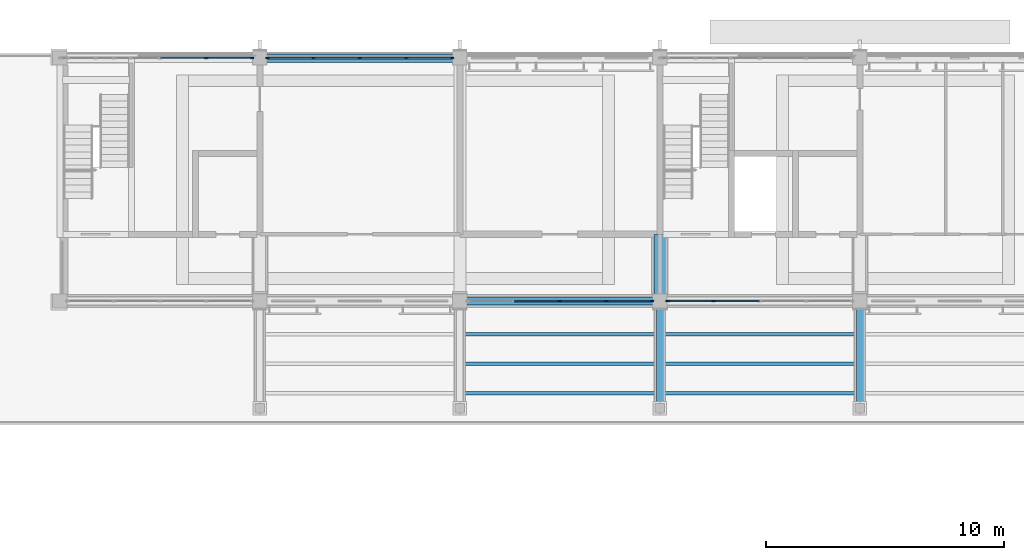
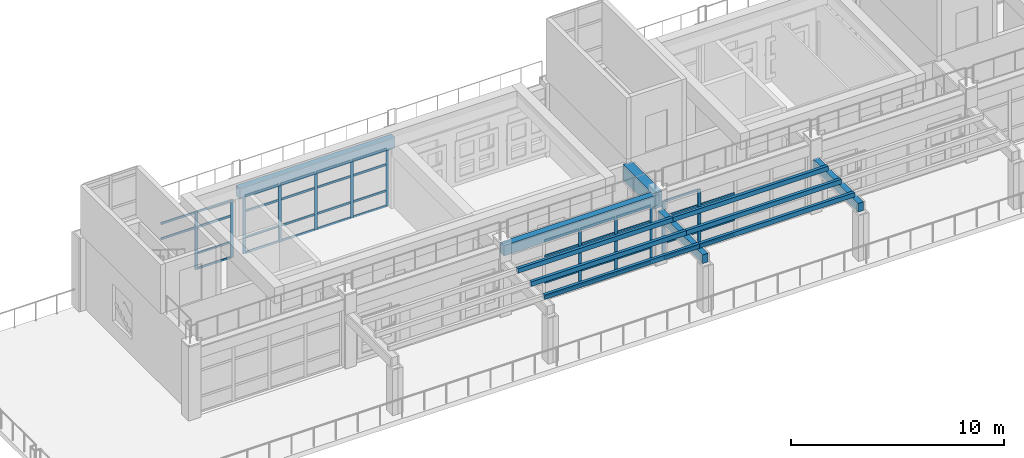
# One storey, part 37 of 105: 59 members, 5 beams, 4 elements without a shape of their own.
"""IFC4 building model written with IfcOpenShell, lengths in metres."""

import ifcopenshell
import ifcopenshell.guid

model = None  # the IFC model being written
_history = None  # IfcOwnerHistory: only IFC2X3 demands one
_inside = {}  # id of a spatial element -> (the spatial element, [elements in it])
_under = {}  # id of a project, library or spatial element -> (it, [spatial elements below it])
_declared = {}  # id of a project -> (the project, [libraries it declares])
_typed = {}  # id of a type object -> (the type object, [elements of that type])
_made_of = {}  # id of a material, layer set ... -> (it, [elements and type objects made of it])


def new_model(schema):
    """Start an empty IFC model of exactly this schema.

    Asked for "IFC4X3", IfcOpenShell would pick the latest addendum, in which some entities
    have other attributes; the version numbers below select the first issue.
    IFC2X3 requires an IfcOwnerHistory on every rooted entity: one is made here for all.
    """
    global model, _history
    if schema == "IFC4X3":
        model = ifcopenshell.file(schema_version=(4, 3, 0, 0))
    else:
        model = ifcopenshell.file(schema=schema)
    _inside.clear()
    _under.clear()
    _declared.clear()
    _typed.clear()
    _made_of.clear()
    _history = None
    if model.schema == "IFC2X3":
        org = make("IfcOrganization", Name="unknown")
        user = make(
            "IfcPersonAndOrganization",
            ThePerson=make("IfcPerson", FamilyName="unknown"),
            TheOrganization=org,
        )
        app = make(
            "IfcApplication",
            ApplicationDeveloper=org,
            Version="unknown",
            ApplicationFullName="unknown",
            ApplicationIdentifier="unknown",
        )
        _history = make(
            "IfcOwnerHistory",
            OwningUser=user,
            OwningApplication=app,
            ChangeAction="ADDED",
            CreationDate=0,
        )
    return model


def make(cls, **values):
    """One entity of the class cls with the attributes given. An attribute that is None is left unset."""
    return model.create_entity(
        cls, **{name: value for name, value in values.items() if value is not None}
    )


def rooted(cls, **values):
    """An entity with a GlobalId (a new one), such as an element, a storey or a relation."""
    return make(cls, GlobalId=ifcopenshell.guid.new(), OwnerHistory=_history, **values)


def si_unit(unit_type, name, prefix=None):
    """IfcSIUnit, for example si_unit("LENGTHUNIT", "METRE", prefix="MILLI")."""
    return make("IfcSIUnit", UnitType=unit_type, Prefix=prefix, Name=name)


def assignment(units):
    """IfcUnitAssignment: the units of a project."""
    return None if units is None else make("IfcUnitAssignment", Units=units)


def point(xyz):
    """IfcCartesianPoint."""
    return None if xyz is None else make("IfcCartesianPoint", Coordinates=xyz)


def direction(xyz):
    """IfcDirection."""
    return None if xyz is None else make("IfcDirection", DirectionRatios=xyz)


def frame(location, z_axis=None, x_axis=None):
    """IfcAxis2Placement3D, a coordinate frame: its origin and axes. An axis left out is left unset."""
    return make(
        "IfcAxis2Placement3D",
        Location=point(location),
        Axis=direction(z_axis),
        RefDirection=direction(x_axis),
    )


def frame_2d(location, x_axis=None):
    """IfcAxis2Placement2D, a coordinate frame in the plane: its origin and x axis."""
    return make(
        "IfcAxis2Placement2D", Location=point(location), RefDirection=direction(x_axis)
    )


def origin():
    """The frame at (0, 0, 0) with its axes left unset."""
    return frame((0.0, 0.0, 0.0))


def origin_2d():
    """The frame at (0, 0) in the plane with its x axis left unset."""
    return frame_2d((0.0, 0.0))


def place(relative_to, where):
    """IfcLocalPlacement: puts the frame where relative to a parent placement (None: the world)."""
    return make(
        "IfcLocalPlacement", PlacementRelTo=relative_to, RelativePlacement=where
    )


def context(
    kind, dimensions, precision=None, world=None, true_north=None, identifier=None
):
    """IfcGeometricRepresentationContext, for example the 3D "Model" context."""
    return make(
        "IfcGeometricRepresentationContext",
        ContextIdentifier=identifier,
        ContextType=kind,
        CoordinateSpaceDimension=dimensions,
        Precision=precision,
        WorldCoordinateSystem=world,
        TrueNorth=true_north,
    )


def subcontext(parent, identifier, kind, view, scale=None):
    """IfcGeometricRepresentationSubContext, for example "Body" below "Model"."""
    return make(
        "IfcGeometricRepresentationSubContext",
        ContextIdentifier=identifier,
        ContextType=kind,
        ParentContext=parent,
        TargetScale=scale,
        TargetView=view,
    )


def project(units=None, contexts=None):
    """IfcProject with its units and contexts."""
    return rooted(
        "IfcProject",
        Name="project",
        RepresentationContexts=contexts,
        UnitsInContext=assignment(units),
    )


def spatial(cls, under=None, at=None, **own):
    """A site, building, storey or space (cls), placed at a placement, below another one or the project."""
    s = rooted(cls, ObjectPlacement=at, **own)
    if under is not None:
        _under.setdefault(under.id(), (under, []))[1].append(s)
    return s


def profile(cls, at=None, kind="AREA", **sizes):
    """A parametric profile (cls). Its sizes go by their IFC names, for example OverallWidth=200.0."""
    return make(cls, ProfileType=kind, Position=at, **sizes)


def rectangle(**sizes):
    """IfcRectangleProfileDef."""
    return profile("IfcRectangleProfileDef", **sizes)


def extrude(swept, where, along, depth):
    """IfcExtrudedAreaSolid: the profile swept, set in the frame where, extruded along a direction by depth."""
    return make(
        "IfcExtrudedAreaSolid",
        SweptArea=swept,
        Position=where,
        ExtrudedDirection=direction(along),
        Depth=depth,
    )


def shape(context_of_items, identifier, shape_type, items):
    """IfcShapeRepresentation: the items that make up one representation, for example the "Body"."""
    return make(
        "IfcShapeRepresentation",
        ContextOfItems=context_of_items,
        RepresentationIdentifier=identifier,
        RepresentationType=shape_type,
        Items=items,
    )


def material(Name=None, Category=None):
    """IfcMaterial."""
    return make("IfcMaterial", Name=Name, Category=Category)


def layer(
    of_material, thickness, ventilated=None, Name=None, Category=None, Priority=None
):
    """IfcMaterialLayer: one layer of a wall or slab, of a material (None: an air gap)."""
    return make(
        "IfcMaterialLayer",
        Material=of_material,
        LayerThickness=thickness,
        IsVentilated=ventilated,
        Name=Name,
        Category=Category,
        Priority=Priority,
    )


def layer_set(layers, Name=None):
    """IfcMaterialLayerSet."""
    return make("IfcMaterialLayerSet", MaterialLayers=layers, LayerSetName=Name)


def material_profile(
    of_material, cross_section, Name=None, Category=None, Priority=None
):
    """IfcMaterialProfile: a cross section and its material."""
    return make(
        "IfcMaterialProfile",
        Name=Name,
        Material=of_material,
        Profile=cross_section,
        Priority=Priority,
        Category=Category,
    )


def profile_set(profiles, Name=None, composite=None):
    """IfcMaterialProfileSet."""
    return make(
        "IfcMaterialProfileSet",
        Name=Name,
        MaterialProfiles=profiles,
        CompositeProfile=composite,
    )


def made_of(thing, what):
    """Note that an element or type object is made of a material, layer set ...; save() writes the relation."""
    if what is not None:
        _made_of.setdefault(what.id(), (what, []))[1].append(thing)
    return thing


def type_object(cls, material=None, **own):
    """A type object (cls), such as IfcWallType, which elements share."""
    return made_of(rooted(cls, **own), material)


def element(
    cls,
    number,
    at=None,
    inside=None,
    cuts=None,
    type_object=None,
    material=None,
    context=None,
    identifier="Body",
    shape_type=None,
    held_by="IfcProductDefinitionShape",
    body=None,
    shapes=None,
    **own,
):
    """One element of the class cls, such as IfcWall. Its Tag is "e" and its number.

    at: its placement. inside: the storey or other place that contains it. cuts: it is an
    opening in that element (IfcRelVoidsElement). A single representation is given by context,
    identifier, shape_type and body (its items); several are given by shapes. held_by: the class
    of the entity that holds the representations. save() writes the other relations.
    """
    e = rooted(cls, Tag="e%d" % number, ObjectPlacement=at, **own)
    if body is not None:
        shapes = [shape(context, identifier, shape_type, body)]
    if shapes is not None:
        e.Representation = make(held_by, Representations=shapes)
    if inside is not None:
        _inside.setdefault(inside.id(), (inside, []))[1].append(e)
    if cuts is not None:
        rooted(
            "IfcRelVoidsElement", RelatingBuildingElement=cuts, RelatedOpeningElement=e
        )
    if type_object is not None:
        _typed.setdefault(type_object.id(), (type_object, []))[1].append(e)
    return made_of(e, material)


def aggregate(whole, parts):
    """IfcRelAggregates: a whole, such as a stair, and the parts it consists of."""
    return rooted("IfcRelAggregates", RelatingObject=whole, RelatedObjects=parts)


def save(model, path):
    """Write the relations noted so far, then the file.

    IfcRelAggregates (storeys below a building ...), IfcRelContainedInSpatialStructure (elements
    in a storey), IfcRelDefinesByType, IfcRelAssociatesMaterial and IfcRelDeclares: one each for
    every whole, place, type object, material and project.
    """
    for whole, parts in _under.values():
        aggregate(whole, parts)
    for where, things in _inside.values():
        rooted(
            "IfcRelContainedInSpatialStructure",
            RelatedElements=things,
            RelatingStructure=where,
        )
    for kind, things in _typed.values():
        rooted("IfcRelDefinesByType", RelatedObjects=things, RelatingType=kind)
    for what, things in _made_of.values():
        rooted("IfcRelAssociatesMaterial", RelatedObjects=things, RelatingMaterial=what)
    for by, libraries in _declared.values():
        rooted("IfcRelDeclares", RelatingContext=by, RelatedDefinitions=libraries)
    model.write(path)


model = new_model("IFC4")

# Units and contexts
model_context = context("Model", 3, precision=1e-05, world=origin(), true_north=direction((0.0, 1.0)))
body_context = subcontext(model_context, "Body", "Model", "MODEL_VIEW")
ifc_project = project(units=[si_unit("LENGTHUNIT", "METRE"), si_unit("AREAUNIT", "SQUARE_METRE"), si_unit("VOLUMEUNIT", "CUBIC_METRE"), si_unit("PLANEANGLEUNIT", "RADIAN"), si_unit("MASSUNIT", "GRAM", prefix="KILO")], contexts=[model_context])

# Site, building, storey
site_placement = place(None, origin())
site = spatial("IfcSite", under=ifc_project, at=site_placement, CompositionType="ELEMENT")
building_placement = place(site_placement, origin())
building = spatial("IfcBuilding", under=site, at=building_placement, Name="Wasatch Bagh Community Centre", CompositionType="ELEMENT")
storey_placement = place(building_placement, frame((0.0, 0.0, 16.800048828125)))
storey = spatial("IfcBuildingStorey", under=building, at=storey_placement, Name="L04", CompositionType="ELEMENT", Elevation=16.800048828125)

# Beams
ifc_material_1 = material(Name="Concrete C35", Category="concrete")
ifc_material_profile_1 = material_profile(ifc_material_1, rectangle(XDim=0.300048828125, YDim=0.5, at=origin_2d()), Name="RC 300x500")
ifc_profile_set_1 = profile_set([ifc_material_profile_1], Name="Concrete C35")
beam_type_1 = type_object("IfcBeamType", Name="LW RC 300x500", PredefinedType="BEAM", material=ifc_profile_set_1)
for number, where, z_axis, x_axis, name in (
    (1, (106.0, 87.300048828125, 2.849853515625), (0.0, -1.0, 0.0), (1.0, 0.0, 0.0), "Pergola beam T4"),
    (2, (114.39990234375, 87.300048828125, 2.849853515625), (0.0, -1.0, 0.0), (1.0, 0.0, 0.0), "Pergola beam T4"),
):
    element("IfcBeam", number, at=place(storey_placement, frame(where, z_axis=z_axis, x_axis=x_axis)), inside=storey, type_object=beam_type_1, Name=name, PredefinedType="BEAM", context=body_context, shape_type="SweptSolid", body=[
        extrude(rectangle(XDim=0.300048828125, YDim=0.5, at=origin_2d()), origin(), (0.0, 0.0, 1.0), 4.199951171875),
    ])
ifc_material_profile_2 = material_profile(ifc_material_1, rectangle(XDim=0.35009765625, YDim=0.60009765625, at=origin_2d()), Name="RC 350x600")
ifc_profile_set_2 = profile_set([ifc_material_profile_2], Name="Concrete C35")
beam_type_2 = type_object("IfcBeamType", Name="LW RC 350x600", PredefinedType="BEAM", material=ifc_profile_set_2)
beam_1_placement = place(storey_placement, frame((97.60009765625, 87.60009765625, 3.599853515625), z_axis=(1.0, 0.0, 0.0), x_axis=(0.0, 1.0, 0.0)))
element("IfcBeam", 3, at=beam_1_placement, inside=storey, type_object=beam_type_2, Name="W5-W6M", PredefinedType="BEAM", context=body_context, shape_type="SweptSolid", body=[
    extrude(rectangle(XDim=0.35009765625, YDim=0.60009765625, at=origin_2d()), origin(), (0.0, 0.0, 1.0), 8.39990234375),
])
beam_2_placement = place(storey_placement, frame((89.199951171875, 97.800048828125, 3.599853515625), z_axis=(1.0, 0.0, 0.0), x_axis=(0.0, 1.0, 0.0)))
element("IfcBeam", 4, at=beam_2_placement, inside=storey, type_object=beam_type_2, Name="W4-W5N", PredefinedType="BEAM", context=body_context, shape_type="SweptSolid", body=[
    extrude(rectangle(XDim=0.35009765625, YDim=0.60009765625, at=origin_2d()), origin(), (0.0, 0.0, 1.0), 8.400146484375),
])
ifc_material_profile_3 = material_profile(ifc_material_1, rectangle(XDim=0.5, YDim=0.89990234375, at=origin_2d()), Name="RC 500x900")
ifc_profile_set_3 = profile_set([ifc_material_profile_3], Name="Concrete C35")
beam_type_3 = type_object("IfcBeamType", Name="LW RC 500x900", PredefinedType="BEAM", material=ifc_profile_set_3)
beam_3_placement = place(storey_placement, frame((106.0, 87.60009765625, 3.449951171875), z_axis=(0.0, 1.0, 0.0), x_axis=(-1.0, 0.0, 0.0)))
element("IfcBeam", 5, at=beam_3_placement, inside=storey, type_object=beam_type_3, Name="W6M-N", PredefinedType="BEAM", context=body_context, shape_type="SweptSolid", body=[
    extrude(rectangle(XDim=0.5, YDim=0.89990234375, at=origin_2d()), origin(), (0.0, 0.0, 1.0), 2.7998046875),
])

# Curtain wall, members
ifc_material_2 = material(Name="Aluminium curtain wall frame with low-iron glass", Category="aluminium")
ifc_layer_1 = layer(ifc_material_2, 0.10009765625)
ifc_layer_set_1 = layer_set([ifc_layer_1], Name="Aluminium curtain wall frame with low-iron glass")
curtain_wall_type_1 = type_object("IfcCurtainWallType", Name="LW curtain wall 100", PredefinedType="NOTDEFINED", material=ifc_layer_set_1)
curtain_wall_1_placement = place(storey_placement, origin())
curtain_wall_1 = element("IfcCurtainWall", 6, at=curtain_wall_1_placement, inside=storey, type_object=curtain_wall_type_1, Name="Curtain wall 04.05", PredefinedType="NOTDEFINED")
ifc_material_3 = material(Name="Aluminium extrusion", Category="aluminium")
ifc_material_profile_4 = material_profile(ifc_material_3, rectangle(XDim=0.06005859375, YDim=0.159912109375, at=origin_2d()), Name="AL 60x160")
ifc_profile_set_4 = profile_set([ifc_material_profile_4], Name="Aluminium extrusion")
member_type_1 = type_object("IfcMemberType", Name="LW curtain wall mullion 60x160", PredefinedType="MULLION", material=ifc_profile_set_4)
member_1_placement = place(storey_placement, frame((86.949951171875, 97.800048828125, 0.0), z_axis=(0.0, 0.0, 1.0), x_axis=(0.0, 1.0, 0.0)))
member_1 = element("IfcMember", 7, at=member_1_placement, type_object=member_type_1, Name="LW-CW1 mullion 4", PredefinedType="MULLION", context=body_context, shape_type="SweptSolid", body=[
    extrude(rectangle(XDim=0.06005859375, YDim=0.159912109375, at=origin_2d()), origin(), (0.0, 0.0, 1.0), 3.300048828125),
])
member_2_placement = place(storey_placement, frame((88.8701171875, 97.800048828125, 0.0), z_axis=(0.0, 0.0, 1.0), x_axis=(0.0, 1.0, 0.0)))
member_2 = element("IfcMember", 8, at=member_2_placement, type_object=member_type_1, Name="LW-CW1 mullion 5", PredefinedType="MULLION", context=body_context, shape_type="SweptSolid", body=[
    extrude(rectangle(XDim=0.06005859375, YDim=0.159912109375, at=origin_2d()), origin(), (0.0, 0.0, 1.0), 3.300048828125),
])

ifc_layer_2 = layer(ifc_material_2, 0.1201171875)
ifc_layer_set_2 = layer_set([ifc_layer_2], Name="Aluminium curtain wall frame with low-iron glass")
curtain_wall_type_2 = type_object("IfcCurtainWallType", Name="LW study front curtain wall 120", PredefinedType="NOTDEFINED", material=ifc_layer_set_2)
curtain_wall_2_placement = place(storey_placement, origin())
curtain_wall_2 = element("IfcCurtainWall", 9, at=curtain_wall_2_placement, inside=storey, type_object=curtain_wall_type_2, Name="Curtain wall 04.06", PredefinedType="NOTDEFINED")
ifc_material_profile_5 = material_profile(ifc_material_3, rectangle(XDim=0.06005859375, YDim=0.159912109375, at=origin_2d()), Name="AL 60x160")
ifc_profile_set_5 = profile_set([ifc_material_profile_5], Name="Aluminium extrusion")
member_type_2 = type_object("IfcMemberType", Name="LW curtain wall mullion 60x160 LW-CW2", PredefinedType="MULLION", material=ifc_profile_set_5)
member_3_placement = place(storey_placement, frame((89.530029296875, 97.800048828125, 0.0), z_axis=(0.0, 0.0, 1.0), x_axis=(0.0, 1.0, 0.0)))
member_3 = element("IfcMember", 10, at=member_3_placement, type_object=member_type_2, Name="LW-CW2 mullion 1", PredefinedType="MULLION", context=body_context, shape_type="SweptSolid", body=[
    extrude(rectangle(XDim=0.06005859375, YDim=0.159912109375, at=origin_2d()), origin(), (0.0, 0.0, 1.0), 3.300048828125),
])
member_4_placement = place(storey_placement, frame((91.449951171875, 97.800048828125, 0.0), z_axis=(0.0, 0.0, 1.0), x_axis=(0.0, 1.0, 0.0)))
member_4 = element("IfcMember", 11, at=member_4_placement, type_object=member_type_2, Name="LW-CW2 mullion 2", PredefinedType="MULLION", context=body_context, shape_type="SweptSolid", body=[
    extrude(rectangle(XDim=0.06005859375, YDim=0.159912109375, at=origin_2d()), origin(), (0.0, 0.0, 1.0), 3.300048828125),
])
member_5_placement = place(storey_placement, frame((93.39990234375, 97.800048828125, 0.0), z_axis=(0.0, 0.0, 1.0), x_axis=(0.0, 1.0, 0.0)))
member_5 = element("IfcMember", 12, at=member_5_placement, type_object=member_type_2, Name="LW-CW2 mullion 3", PredefinedType="MULLION", context=body_context, shape_type="SweptSolid", body=[
    extrude(rectangle(XDim=0.06005859375, YDim=0.159912109375, at=origin_2d()), origin(), (0.0, 0.0, 1.0), 3.300048828125),
])
member_6_placement = place(storey_placement, frame((95.35009765625, 97.800048828125, 0.0), z_axis=(0.0, 0.0, 1.0), x_axis=(0.0, 1.0, 0.0)))
member_6 = element("IfcMember", 13, at=member_6_placement, type_object=member_type_2, Name="LW-CW2 mullion 4", PredefinedType="MULLION", context=body_context, shape_type="SweptSolid", body=[
    extrude(rectangle(XDim=0.06005859375, YDim=0.159912109375, at=origin_2d()), origin(), (0.0, 0.0, 1.0), 3.300048828125),
])
member_7_placement = place(storey_placement, frame((97.27001953125, 97.800048828125, 0.0), z_axis=(0.0, 0.0, 1.0), x_axis=(0.0, 1.0, 0.0)))
member_7 = element("IfcMember", 14, at=member_7_placement, type_object=member_type_2, Name="LW-CW2 mullion 5", PredefinedType="MULLION", context=body_context, shape_type="SweptSolid", body=[
    extrude(rectangle(XDim=0.06005859375, YDim=0.159912109375, at=origin_2d()), origin(), (0.0, 0.0, 1.0), 3.300048828125),
])

ifc_layer_3 = layer(ifc_material_2, 0.139892578125)
ifc_layer_set_3 = layer_set([ifc_layer_3], Name="Aluminium curtain wall frame with low-iron glass")
curtain_wall_type_3 = type_object("IfcCurtainWallType", Name="LW terrace front curtain wall 140", PredefinedType="NOTDEFINED", material=ifc_layer_set_3)
curtain_wall_3_placement = place(storey_placement, origin())
curtain_wall_3 = element("IfcCurtainWall", 15, at=curtain_wall_3_placement, inside=storey, type_object=curtain_wall_type_3, Name="Curtain wall 04.02", PredefinedType="NOTDEFINED")
ifc_material_profile_6 = material_profile(ifc_material_3, rectangle(XDim=0.06005859375, YDim=0.159912109375, at=origin_2d()), Name="AL 60x160")
ifc_profile_set_6 = profile_set([ifc_material_profile_6], Name="Aluminium extrusion")
member_type_3 = type_object("IfcMemberType", Name="LW curtain wall mullion 60x160 LW-CW3", PredefinedType="MULLION", material=ifc_profile_set_6)
member_8_placement = place(storey_placement, frame((101.800048828125, 87.60009765625, 0.0), z_axis=(0.0, 0.0, 1.0), x_axis=(0.0, 1.0, 0.0)))
member_8 = element("IfcMember", 16, at=member_8_placement, type_object=member_type_3, Name="LW-CW3 mullion 3", PredefinedType="MULLION", context=body_context, shape_type="SweptSolid", body=[
    extrude(rectangle(XDim=0.06005859375, YDim=0.159912109375, at=origin_2d()), origin(), (0.0, 0.0, 1.0), 3.300048828125),
])
member_9_placement = place(storey_placement, frame((103.75, 87.60009765625, 0.0), z_axis=(0.0, 0.0, 1.0), x_axis=(0.0, 1.0, 0.0)))
member_9 = element("IfcMember", 17, at=member_9_placement, type_object=member_type_3, Name="LW-CW3 mullion 4", PredefinedType="MULLION", context=body_context, shape_type="SweptSolid", body=[
    extrude(rectangle(XDim=0.06005859375, YDim=0.159912109375, at=origin_2d()), origin(), (0.0, 0.0, 1.0), 3.300048828125),
])
member_10_placement = place(storey_placement, frame((105.669921875, 87.60009765625, 0.0), z_axis=(0.0, 0.0, 1.0), x_axis=(0.0, 1.0, 0.0)))
member_10 = element("IfcMember", 18, at=member_10_placement, type_object=member_type_3, Name="LW-CW3 mullion 5", PredefinedType="MULLION", context=body_context, shape_type="SweptSolid", body=[
    extrude(rectangle(XDim=0.06005859375, YDim=0.159912109375, at=origin_2d()), origin(), (0.0, 0.0, 1.0), 3.300048828125),
])

curtain_wall_4_placement = place(storey_placement, origin())
curtain_wall_4 = element("IfcCurtainWall", 19, at=curtain_wall_4_placement, inside=storey, type_object=curtain_wall_type_3, Name="Curtain wall 04.03", PredefinedType="NOTDEFINED")
member_11_placement = place(storey_placement, frame((106.330078125, 87.60009765625, 0.0), z_axis=(0.0, 0.0, 1.0), x_axis=(0.0, 1.0, 0.0)))
member_11 = element("IfcMember", 20, at=member_11_placement, type_object=member_type_3, Name="LW-CW3 mullion 1", PredefinedType="MULLION", context=body_context, shape_type="SweptSolid", body=[
    extrude(rectangle(XDim=0.06005859375, YDim=0.159912109375, at=origin_2d()), origin(), (0.0, 0.0, 1.0), 3.300048828125),
])
member_12_placement = place(storey_placement, frame((108.25, 87.60009765625, 0.0), z_axis=(0.0, 0.0, 1.0), x_axis=(0.0, 1.0, 0.0)))
member_12 = element("IfcMember", 21, at=member_12_placement, type_object=member_type_3, Name="LW-CW3 mullion 2", PredefinedType="MULLION", context=body_context, shape_type="SweptSolid", body=[
    extrude(rectangle(XDim=0.06005859375, YDim=0.159912109375, at=origin_2d()), origin(), (0.0, 0.0, 1.0), 3.300048828125),
])

# Member
ifc_material_profile_7 = material_profile(ifc_material_3, rectangle(XDim=0.06005859375, YDim=0.1201171875, at=origin_2d()), Name="AL 60x120")
ifc_profile_set_7 = profile_set([ifc_material_profile_7], Name="Aluminium extrusion")
member_type_4 = type_object("IfcMemberType", Name="LW curtain wall transom 60x120", PredefinedType="USERDEFINED", material=ifc_profile_set_7)
member_13_placement = place(storey_placement, frame((85.030029296875, 97.800048828125, 2.39990234375), z_axis=(1.0, 0.0, 0.0), x_axis=(0.0, 1.0, 0.0)))
member_13 = element("IfcMember", 22, at=member_13_placement, type_object=member_type_4, Name="LW-CW1 transom 3.3", ObjectType="TRANSOM", PredefinedType="USERDEFINED", context=body_context, shape_type="SweptSolid", body=[
    extrude(rectangle(XDim=0.06005859375, YDim=0.1201171875, at=origin_2d()), origin(), (0.0, 0.0, 1.0), 1.889892578125),
])

member_14_placement = place(storey_placement, frame((85.030029296875, 97.800048828125, 3.27001953125), z_axis=(1.0, 0.0, 0.0), x_axis=(0.0, 1.0, 0.0)))
member_14 = element("IfcMember", 23, at=member_14_placement, type_object=member_type_4, Name="LW-CW1 transom 3.4", ObjectType="TRANSOM", PredefinedType="USERDEFINED", context=body_context, shape_type="SweptSolid", body=[
    extrude(rectangle(XDim=0.06005859375, YDim=0.1201171875, at=origin_2d()), origin(), (0.0, 0.0, 1.0), 1.889892578125),
])

member_15_placement = place(storey_placement, frame((86.97998046875, 97.800048828125, 0.030029296875), z_axis=(1.0, 0.0, 0.0), x_axis=(0.0, 1.0, 0.0)))
member_15 = element("IfcMember", 24, at=member_15_placement, type_object=member_type_4, Name="LW-CW1 transom 4.1", ObjectType="TRANSOM", PredefinedType="USERDEFINED", context=body_context, shape_type="SweptSolid", body=[
    extrude(rectangle(XDim=0.06005859375, YDim=0.1201171875, at=origin_2d()), origin(), (0.0, 0.0, 1.0), 1.860107421875),
])

member_16_placement = place(storey_placement, frame((86.97998046875, 97.800048828125, 0.89990234375), z_axis=(1.0, 0.0, 0.0), x_axis=(0.0, 1.0, 0.0)))
member_16 = element("IfcMember", 25, at=member_16_placement, type_object=member_type_4, Name="LW-CW1 transom 4.2", ObjectType="TRANSOM", PredefinedType="USERDEFINED", context=body_context, shape_type="SweptSolid", body=[
    extrude(rectangle(XDim=0.06005859375, YDim=0.1201171875, at=origin_2d()), origin(), (0.0, 0.0, 1.0), 1.860107421875),
])

member_17_placement = place(storey_placement, frame((86.97998046875, 97.800048828125, 2.39990234375), z_axis=(1.0, 0.0, 0.0), x_axis=(0.0, 1.0, 0.0)))
member_17 = element("IfcMember", 26, at=member_17_placement, type_object=member_type_4, Name="LW-CW1 transom 4.3", ObjectType="TRANSOM", PredefinedType="USERDEFINED", context=body_context, shape_type="SweptSolid", body=[
    extrude(rectangle(XDim=0.06005859375, YDim=0.1201171875, at=origin_2d()), origin(), (0.0, 0.0, 1.0), 1.860107421875),
])

member_18_placement = place(storey_placement, frame((86.97998046875, 97.800048828125, 3.27001953125), z_axis=(1.0, 0.0, 0.0), x_axis=(0.0, 1.0, 0.0)))
member_18 = element("IfcMember", 27, at=member_18_placement, type_object=member_type_4, Name="LW-CW1 transom 4.4", ObjectType="TRANSOM", PredefinedType="USERDEFINED", context=body_context, shape_type="SweptSolid", body=[
    extrude(rectangle(XDim=0.06005859375, YDim=0.1201171875, at=origin_2d()), origin(), (0.0, 0.0, 1.0), 1.860107421875),
])

aggregate(curtain_wall_1, [member_1, member_2, member_13, member_14, member_15, member_16, member_17, member_18])

ifc_material_profile_8 = material_profile(ifc_material_3, rectangle(XDim=0.06005859375, YDim=0.1201171875, at=origin_2d()), Name="AL 60x120")
ifc_profile_set_8 = profile_set([ifc_material_profile_8], Name="Aluminium extrusion")
member_type_5 = type_object("IfcMemberType", Name="LW curtain wall transom 60x120 LW-CW2", PredefinedType="USERDEFINED", material=ifc_profile_set_8)
member_19_placement = place(storey_placement, frame((89.56005859375, 97.800048828125, 0.030029296875), z_axis=(1.0, 0.0, 0.0), x_axis=(0.0, 1.0, 0.0)))
member_19 = element("IfcMember", 28, at=member_19_placement, type_object=member_type_5, Name="LW-CW2 transom 1.1", ObjectType="TRANSOM", PredefinedType="USERDEFINED", context=body_context, shape_type="SweptSolid", body=[
    extrude(rectangle(XDim=0.06005859375, YDim=0.1201171875, at=origin_2d()), origin(), (0.0, 0.0, 1.0), 1.85986328125),
])

member_20_placement = place(storey_placement, frame((89.56005859375, 97.800048828125, 0.89990234375), z_axis=(1.0, 0.0, 0.0), x_axis=(0.0, 1.0, 0.0)))
member_20 = element("IfcMember", 29, at=member_20_placement, type_object=member_type_5, Name="LW-CW2 transom 1.2", ObjectType="TRANSOM", PredefinedType="USERDEFINED", context=body_context, shape_type="SweptSolid", body=[
    extrude(rectangle(XDim=0.06005859375, YDim=0.1201171875, at=origin_2d()), origin(), (0.0, 0.0, 1.0), 1.85986328125),
])

member_21_placement = place(storey_placement, frame((89.56005859375, 97.800048828125, 2.39990234375), z_axis=(1.0, 0.0, 0.0), x_axis=(0.0, 1.0, 0.0)))
member_21 = element("IfcMember", 30, at=member_21_placement, type_object=member_type_5, Name="LW-CW2 transom 1.3", ObjectType="TRANSOM", PredefinedType="USERDEFINED", context=body_context, shape_type="SweptSolid", body=[
    extrude(rectangle(XDim=0.06005859375, YDim=0.1201171875, at=origin_2d()), origin(), (0.0, 0.0, 1.0), 1.85986328125),
])

member_22_placement = place(storey_placement, frame((89.56005859375, 97.800048828125, 3.27001953125), z_axis=(1.0, 0.0, 0.0), x_axis=(0.0, 1.0, 0.0)))
member_22 = element("IfcMember", 31, at=member_22_placement, type_object=member_type_5, Name="LW-CW2 transom 1.4", ObjectType="TRANSOM", PredefinedType="USERDEFINED", context=body_context, shape_type="SweptSolid", body=[
    extrude(rectangle(XDim=0.06005859375, YDim=0.1201171875, at=origin_2d()), origin(), (0.0, 0.0, 1.0), 1.85986328125),
])

member_23_placement = place(storey_placement, frame((91.47998046875, 97.800048828125, 0.030029296875), z_axis=(1.0, 0.0, 0.0), x_axis=(0.0, 1.0, 0.0)))
member_23 = element("IfcMember", 32, at=member_23_placement, type_object=member_type_5, Name="LW-CW2 transom 2.1", ObjectType="TRANSOM", PredefinedType="USERDEFINED", context=body_context, shape_type="SweptSolid", body=[
    extrude(rectangle(XDim=0.06005859375, YDim=0.1201171875, at=origin_2d()), origin(), (0.0, 0.0, 1.0), 1.89013671875),
])

member_24_placement = place(storey_placement, frame((91.47998046875, 97.800048828125, 0.89990234375), z_axis=(1.0, 0.0, 0.0), x_axis=(0.0, 1.0, 0.0)))
member_24 = element("IfcMember", 33, at=member_24_placement, type_object=member_type_5, Name="LW-CW2 transom 2.2", ObjectType="TRANSOM", PredefinedType="USERDEFINED", context=body_context, shape_type="SweptSolid", body=[
    extrude(rectangle(XDim=0.06005859375, YDim=0.1201171875, at=origin_2d()), origin(), (0.0, 0.0, 1.0), 1.89013671875),
])

member_25_placement = place(storey_placement, frame((91.47998046875, 97.800048828125, 2.39990234375), z_axis=(1.0, 0.0, 0.0), x_axis=(0.0, 1.0, 0.0)))
member_25 = element("IfcMember", 34, at=member_25_placement, type_object=member_type_5, Name="LW-CW2 transom 2.3", ObjectType="TRANSOM", PredefinedType="USERDEFINED", context=body_context, shape_type="SweptSolid", body=[
    extrude(rectangle(XDim=0.06005859375, YDim=0.1201171875, at=origin_2d()), origin(), (0.0, 0.0, 1.0), 1.89013671875),
])

member_26_placement = place(storey_placement, frame((91.47998046875, 97.800048828125, 3.27001953125), z_axis=(1.0, 0.0, 0.0), x_axis=(0.0, 1.0, 0.0)))
member_26 = element("IfcMember", 35, at=member_26_placement, type_object=member_type_5, Name="LW-CW2 transom 2.4", ObjectType="TRANSOM", PredefinedType="USERDEFINED", context=body_context, shape_type="SweptSolid", body=[
    extrude(rectangle(XDim=0.06005859375, YDim=0.1201171875, at=origin_2d()), origin(), (0.0, 0.0, 1.0), 1.89013671875),
])

member_27_placement = place(storey_placement, frame((93.429931640625, 97.800048828125, 0.030029296875), z_axis=(1.0, 0.0, 0.0), x_axis=(0.0, 1.0, 0.0)))
member_27 = element("IfcMember", 36, at=member_27_placement, type_object=member_type_5, Name="LW-CW2 transom 3.1", ObjectType="TRANSOM", PredefinedType="USERDEFINED", context=body_context, shape_type="SweptSolid", body=[
    extrude(rectangle(XDim=0.06005859375, YDim=0.1201171875, at=origin_2d()), origin(), (0.0, 0.0, 1.0), 1.89013671875),
])

member_28_placement = place(storey_placement, frame((93.429931640625, 97.800048828125, 0.89990234375), z_axis=(1.0, 0.0, 0.0), x_axis=(0.0, 1.0, 0.0)))
member_28 = element("IfcMember", 37, at=member_28_placement, type_object=member_type_5, Name="LW-CW2 transom 3.2", ObjectType="TRANSOM", PredefinedType="USERDEFINED", context=body_context, shape_type="SweptSolid", body=[
    extrude(rectangle(XDim=0.06005859375, YDim=0.1201171875, at=origin_2d()), origin(), (0.0, 0.0, 1.0), 1.89013671875),
])

member_29_placement = place(storey_placement, frame((93.429931640625, 97.800048828125, 2.39990234375), z_axis=(1.0, 0.0, 0.0), x_axis=(0.0, 1.0, 0.0)))
member_29 = element("IfcMember", 38, at=member_29_placement, type_object=member_type_5, Name="LW-CW2 transom 3.3", ObjectType="TRANSOM", PredefinedType="USERDEFINED", context=body_context, shape_type="SweptSolid", body=[
    extrude(rectangle(XDim=0.06005859375, YDim=0.1201171875, at=origin_2d()), origin(), (0.0, 0.0, 1.0), 1.89013671875),
])

member_30_placement = place(storey_placement, frame((93.429931640625, 97.800048828125, 3.27001953125), z_axis=(1.0, 0.0, 0.0), x_axis=(0.0, 1.0, 0.0)))
member_30 = element("IfcMember", 39, at=member_30_placement, type_object=member_type_5, Name="LW-CW2 transom 3.4", ObjectType="TRANSOM", PredefinedType="USERDEFINED", context=body_context, shape_type="SweptSolid", body=[
    extrude(rectangle(XDim=0.06005859375, YDim=0.1201171875, at=origin_2d()), origin(), (0.0, 0.0, 1.0), 1.89013671875),
])

member_31_placement = place(storey_placement, frame((95.3798828125, 97.800048828125, 0.030029296875), z_axis=(1.0, 0.0, 0.0), x_axis=(0.0, 1.0, 0.0)))
member_31 = element("IfcMember", 40, at=member_31_placement, type_object=member_type_5, Name="LW-CW2 transom 4.1", ObjectType="TRANSOM", PredefinedType="USERDEFINED", context=body_context, shape_type="SweptSolid", body=[
    extrude(rectangle(XDim=0.06005859375, YDim=0.1201171875, at=origin_2d()), origin(), (0.0, 0.0, 1.0), 1.860107421875),
])

member_32_placement = place(storey_placement, frame((95.3798828125, 97.800048828125, 0.89990234375), z_axis=(1.0, 0.0, 0.0), x_axis=(0.0, 1.0, 0.0)))
member_32 = element("IfcMember", 41, at=member_32_placement, type_object=member_type_5, Name="LW-CW2 transom 4.2", ObjectType="TRANSOM", PredefinedType="USERDEFINED", context=body_context, shape_type="SweptSolid", body=[
    extrude(rectangle(XDim=0.06005859375, YDim=0.1201171875, at=origin_2d()), origin(), (0.0, 0.0, 1.0), 1.860107421875),
])

member_33_placement = place(storey_placement, frame((95.3798828125, 97.800048828125, 2.39990234375), z_axis=(1.0, 0.0, 0.0), x_axis=(0.0, 1.0, 0.0)))
member_33 = element("IfcMember", 42, at=member_33_placement, type_object=member_type_5, Name="LW-CW2 transom 4.3", ObjectType="TRANSOM", PredefinedType="USERDEFINED", context=body_context, shape_type="SweptSolid", body=[
    extrude(rectangle(XDim=0.06005859375, YDim=0.1201171875, at=origin_2d()), origin(), (0.0, 0.0, 1.0), 1.860107421875),
])

member_34_placement = place(storey_placement, frame((95.3798828125, 97.800048828125, 3.27001953125), z_axis=(1.0, 0.0, 0.0), x_axis=(0.0, 1.0, 0.0)))
member_34 = element("IfcMember", 43, at=member_34_placement, type_object=member_type_5, Name="LW-CW2 transom 4.4", ObjectType="TRANSOM", PredefinedType="USERDEFINED", context=body_context, shape_type="SweptSolid", body=[
    extrude(rectangle(XDim=0.06005859375, YDim=0.1201171875, at=origin_2d()), origin(), (0.0, 0.0, 1.0), 1.860107421875),
])

aggregate(curtain_wall_2, [member_3, member_4, member_5, member_6, member_7, member_19, member_20, member_21, member_22, member_23, member_24, member_25, member_26, member_27, member_28, member_29, member_30, member_31, member_32, member_33, member_34])

ifc_material_profile_9 = material_profile(ifc_material_3, rectangle(XDim=0.06005859375, YDim=0.1201171875, at=origin_2d()), Name="AL 60x120")
ifc_profile_set_9 = profile_set([ifc_material_profile_9], Name="Aluminium extrusion")
member_type_6 = type_object("IfcMemberType", Name="LW curtain wall transom 60x120 LW-CW3", PredefinedType="USERDEFINED", material=ifc_profile_set_9)
member_35_placement = place(storey_placement, frame((99.8798828125, 87.60009765625, 0.030029296875), z_axis=(1.0, 0.0, 0.0), x_axis=(0.0, 1.0, 0.0)))
member_35 = element("IfcMember", 44, at=member_35_placement, type_object=member_type_6, Name="LW-CW3 transom 2.1", ObjectType="TRANSOM", PredefinedType="USERDEFINED", context=body_context, shape_type="SweptSolid", body=[
    extrude(rectangle(XDim=0.06005859375, YDim=0.1201171875, at=origin_2d()), origin(), (0.0, 0.0, 1.0), 1.89013671875),
])

member_36_placement = place(storey_placement, frame((99.8798828125, 87.60009765625, 0.89990234375), z_axis=(1.0, 0.0, 0.0), x_axis=(0.0, 1.0, 0.0)))
member_36 = element("IfcMember", 45, at=member_36_placement, type_object=member_type_6, Name="LW-CW3 transom 2.2", ObjectType="TRANSOM", PredefinedType="USERDEFINED", context=body_context, shape_type="SweptSolid", body=[
    extrude(rectangle(XDim=0.06005859375, YDim=0.1201171875, at=origin_2d()), origin(), (0.0, 0.0, 1.0), 1.89013671875),
])

member_37_placement = place(storey_placement, frame((99.8798828125, 87.60009765625, 2.39990234375), z_axis=(1.0, 0.0, 0.0), x_axis=(0.0, 1.0, 0.0)))
member_37 = element("IfcMember", 46, at=member_37_placement, type_object=member_type_6, Name="LW-CW3 transom 2.3", ObjectType="TRANSOM", PredefinedType="USERDEFINED", context=body_context, shape_type="SweptSolid", body=[
    extrude(rectangle(XDim=0.06005859375, YDim=0.1201171875, at=origin_2d()), origin(), (0.0, 0.0, 1.0), 1.89013671875),
])

member_38_placement = place(storey_placement, frame((99.8798828125, 87.60009765625, 3.27001953125), z_axis=(1.0, 0.0, 0.0), x_axis=(0.0, 1.0, 0.0)))
member_38 = element("IfcMember", 47, at=member_38_placement, type_object=member_type_6, Name="LW-CW3 transom 2.4", ObjectType="TRANSOM", PredefinedType="USERDEFINED", context=body_context, shape_type="SweptSolid", body=[
    extrude(rectangle(XDim=0.06005859375, YDim=0.1201171875, at=origin_2d()), origin(), (0.0, 0.0, 1.0), 1.89013671875),
])

member_39_placement = place(storey_placement, frame((101.830078125, 87.60009765625, 0.030029296875), z_axis=(1.0, 0.0, 0.0), x_axis=(0.0, 1.0, 0.0)))
member_39 = element("IfcMember", 48, at=member_39_placement, type_object=member_type_6, Name="LW-CW3 transom 3.1", ObjectType="TRANSOM", PredefinedType="USERDEFINED", context=body_context, shape_type="SweptSolid", body=[
    extrude(rectangle(XDim=0.06005859375, YDim=0.1201171875, at=origin_2d()), origin(), (0.0, 0.0, 1.0), 1.889892578125),
])

member_40_placement = place(storey_placement, frame((101.830078125, 87.60009765625, 0.89990234375), z_axis=(1.0, 0.0, 0.0), x_axis=(0.0, 1.0, 0.0)))
member_40 = element("IfcMember", 49, at=member_40_placement, type_object=member_type_6, Name="LW-CW3 transom 3.2", ObjectType="TRANSOM", PredefinedType="USERDEFINED", context=body_context, shape_type="SweptSolid", body=[
    extrude(rectangle(XDim=0.06005859375, YDim=0.1201171875, at=origin_2d()), origin(), (0.0, 0.0, 1.0), 1.889892578125),
])

member_41_placement = place(storey_placement, frame((101.830078125, 87.60009765625, 2.39990234375), z_axis=(1.0, 0.0, 0.0), x_axis=(0.0, 1.0, 0.0)))
member_41 = element("IfcMember", 50, at=member_41_placement, type_object=member_type_6, Name="LW-CW3 transom 3.3", ObjectType="TRANSOM", PredefinedType="USERDEFINED", context=body_context, shape_type="SweptSolid", body=[
    extrude(rectangle(XDim=0.06005859375, YDim=0.1201171875, at=origin_2d()), origin(), (0.0, 0.0, 1.0), 1.889892578125),
])

member_42_placement = place(storey_placement, frame((101.830078125, 87.60009765625, 3.27001953125), z_axis=(1.0, 0.0, 0.0), x_axis=(0.0, 1.0, 0.0)))
member_42 = element("IfcMember", 51, at=member_42_placement, type_object=member_type_6, Name="LW-CW3 transom 3.4", ObjectType="TRANSOM", PredefinedType="USERDEFINED", context=body_context, shape_type="SweptSolid", body=[
    extrude(rectangle(XDim=0.06005859375, YDim=0.1201171875, at=origin_2d()), origin(), (0.0, 0.0, 1.0), 1.889892578125),
])

member_43_placement = place(storey_placement, frame((103.780029296875, 87.60009765625, 0.030029296875), z_axis=(1.0, 0.0, 0.0), x_axis=(0.0, 1.0, 0.0)))
member_43 = element("IfcMember", 52, at=member_43_placement, type_object=member_type_6, Name="LW-CW3 transom 4.1", ObjectType="TRANSOM", PredefinedType="USERDEFINED", context=body_context, shape_type="SweptSolid", body=[
    extrude(rectangle(XDim=0.06005859375, YDim=0.1201171875, at=origin_2d()), origin(), (0.0, 0.0, 1.0), 1.85986328125),
])

member_44_placement = place(storey_placement, frame((103.780029296875, 87.60009765625, 0.89990234375), z_axis=(1.0, 0.0, 0.0), x_axis=(0.0, 1.0, 0.0)))
member_44 = element("IfcMember", 53, at=member_44_placement, type_object=member_type_6, Name="LW-CW3 transom 4.2", ObjectType="TRANSOM", PredefinedType="USERDEFINED", context=body_context, shape_type="SweptSolid", body=[
    extrude(rectangle(XDim=0.06005859375, YDim=0.1201171875, at=origin_2d()), origin(), (0.0, 0.0, 1.0), 1.85986328125),
])

member_45_placement = place(storey_placement, frame((103.780029296875, 87.60009765625, 2.39990234375), z_axis=(1.0, 0.0, 0.0), x_axis=(0.0, 1.0, 0.0)))
member_45 = element("IfcMember", 54, at=member_45_placement, type_object=member_type_6, Name="LW-CW3 transom 4.3", ObjectType="TRANSOM", PredefinedType="USERDEFINED", context=body_context, shape_type="SweptSolid", body=[
    extrude(rectangle(XDim=0.06005859375, YDim=0.1201171875, at=origin_2d()), origin(), (0.0, 0.0, 1.0), 1.85986328125),
])

member_46_placement = place(storey_placement, frame((103.780029296875, 87.60009765625, 3.27001953125), z_axis=(1.0, 0.0, 0.0), x_axis=(0.0, 1.0, 0.0)))
member_46 = element("IfcMember", 55, at=member_46_placement, type_object=member_type_6, Name="LW-CW3 transom 4.4", ObjectType="TRANSOM", PredefinedType="USERDEFINED", context=body_context, shape_type="SweptSolid", body=[
    extrude(rectangle(XDim=0.06005859375, YDim=0.1201171875, at=origin_2d()), origin(), (0.0, 0.0, 1.0), 1.85986328125),
])

aggregate(curtain_wall_3, [member_8, member_9, member_10, member_35, member_36, member_37, member_38, member_39, member_40, member_41, member_42, member_43, member_44, member_45, member_46])

member_47_placement = place(storey_placement, frame((106.360107421875, 87.60009765625, 0.030029296875), z_axis=(1.0, 0.0, 0.0), x_axis=(0.0, 1.0, 0.0)))
member_47 = element("IfcMember", 56, at=member_47_placement, type_object=member_type_6, Name="LW-CW3 transom 1.1", ObjectType="TRANSOM", PredefinedType="USERDEFINED", context=body_context, shape_type="SweptSolid", body=[
    extrude(rectangle(XDim=0.06005859375, YDim=0.1201171875, at=origin_2d()), origin(), (0.0, 0.0, 1.0), 1.85986328125),
])

member_48_placement = place(storey_placement, frame((106.360107421875, 87.60009765625, 0.89990234375), z_axis=(1.0, 0.0, 0.0), x_axis=(0.0, 1.0, 0.0)))
member_48 = element("IfcMember", 57, at=member_48_placement, type_object=member_type_6, Name="LW-CW3 transom 1.2", ObjectType="TRANSOM", PredefinedType="USERDEFINED", context=body_context, shape_type="SweptSolid", body=[
    extrude(rectangle(XDim=0.06005859375, YDim=0.1201171875, at=origin_2d()), origin(), (0.0, 0.0, 1.0), 1.85986328125),
])

member_49_placement = place(storey_placement, frame((106.360107421875, 87.60009765625, 2.39990234375), z_axis=(1.0, 0.0, 0.0), x_axis=(0.0, 1.0, 0.0)))
member_49 = element("IfcMember", 58, at=member_49_placement, type_object=member_type_6, Name="LW-CW3 transom 1.3", ObjectType="TRANSOM", PredefinedType="USERDEFINED", context=body_context, shape_type="SweptSolid", body=[
    extrude(rectangle(XDim=0.06005859375, YDim=0.1201171875, at=origin_2d()), origin(), (0.0, 0.0, 1.0), 1.85986328125),
])

member_50_placement = place(storey_placement, frame((106.360107421875, 87.60009765625, 3.27001953125), z_axis=(1.0, 0.0, 0.0), x_axis=(0.0, 1.0, 0.0)))
member_50 = element("IfcMember", 59, at=member_50_placement, type_object=member_type_6, Name="LW-CW3 transom 1.4", ObjectType="TRANSOM", PredefinedType="USERDEFINED", context=body_context, shape_type="SweptSolid", body=[
    extrude(rectangle(XDim=0.06005859375, YDim=0.1201171875, at=origin_2d()), origin(), (0.0, 0.0, 1.0), 1.85986328125),
])

member_51_placement = place(storey_placement, frame((108.280029296875, 87.60009765625, 0.030029296875), z_axis=(1.0, 0.0, 0.0), x_axis=(0.0, 1.0, 0.0)))
member_51 = element("IfcMember", 60, at=member_51_placement, type_object=member_type_6, Name="LW-CW3 transom 2.1", ObjectType="TRANSOM", PredefinedType="USERDEFINED", context=body_context, shape_type="SweptSolid", body=[
    extrude(rectangle(XDim=0.06005859375, YDim=0.1201171875, at=origin_2d()), origin(), (0.0, 0.0, 1.0), 1.889892578125),
])

member_52_placement = place(storey_placement, frame((108.280029296875, 87.60009765625, 0.89990234375), z_axis=(1.0, 0.0, 0.0), x_axis=(0.0, 1.0, 0.0)))
member_52 = element("IfcMember", 61, at=member_52_placement, type_object=member_type_6, Name="LW-CW3 transom 2.2", ObjectType="TRANSOM", PredefinedType="USERDEFINED", context=body_context, shape_type="SweptSolid", body=[
    extrude(rectangle(XDim=0.06005859375, YDim=0.1201171875, at=origin_2d()), origin(), (0.0, 0.0, 1.0), 1.889892578125),
])

member_53_placement = place(storey_placement, frame((108.280029296875, 87.60009765625, 2.39990234375), z_axis=(1.0, 0.0, 0.0), x_axis=(0.0, 1.0, 0.0)))
member_53 = element("IfcMember", 62, at=member_53_placement, type_object=member_type_6, Name="LW-CW3 transom 2.3", ObjectType="TRANSOM", PredefinedType="USERDEFINED", context=body_context, shape_type="SweptSolid", body=[
    extrude(rectangle(XDim=0.06005859375, YDim=0.1201171875, at=origin_2d()), origin(), (0.0, 0.0, 1.0), 1.889892578125),
])

aggregate(curtain_wall_4, [member_11, member_12, member_47, member_48, member_49, member_50, member_51, member_52, member_53])

# Members
ifc_material_4 = material(Name="Glued laminated timber GL24h", Category="wood")
ifc_material_profile_10 = material_profile(ifc_material_4, rectangle(XDim=0.159912109375, YDim=0.260009765625, at=origin_2d()), Name="GL 160x260")
ifc_profile_set_10 = profile_set([ifc_material_profile_10], Name="Glued laminated timber GL24h")
member_type_7 = type_object("IfcMemberType", Name="LW pergola slat 160x260", PredefinedType="MEMBER", material=ifc_profile_set_10)
for number, where, z_axis, x_axis, name in (
    (63, (97.60009765625, 83.719970703125, 3.22998046875), (1.0, 0.0, 0.0), (0.0, 1.0, 0.0), "Pergola slat T4"),
    (64, (97.60009765625, 84.9599609375, 3.22998046875), (1.0, 0.0, 0.0), (0.0, 1.0, 0.0), "Pergola slat T4"),
    (65, (97.60009765625, 86.199951171875, 3.22998046875), (1.0, 0.0, 0.0), (0.0, 1.0, 0.0), "Pergola slat T4"),
    (66, (106.0, 83.719970703125, 3.22998046875), (1.0, 0.0, 0.0), (0.0, 1.0, 0.0), "Pergola slat T4"),
    (67, (106.0, 84.9599609375, 3.22998046875), (1.0, 0.0, 0.0), (0.0, 1.0, 0.0), "Pergola slat T4"),
    (68, (106.0, 86.199951171875, 3.22998046875), (1.0, 0.0, 0.0), (0.0, 1.0, 0.0), "Pergola slat T4"),
):
    element("IfcMember", number, at=place(storey_placement, frame(where, z_axis=z_axis, x_axis=x_axis)), inside=storey, type_object=member_type_7, Name=name, PredefinedType="MEMBER", context=body_context, shape_type="SweptSolid", body=[
        extrude(rectangle(XDim=0.159912109375, YDim=0.260009765625, at=origin_2d()), origin(), (0.0, 0.0, 1.0), 8.39990234375),
    ])

save(model, "model.ifc")
